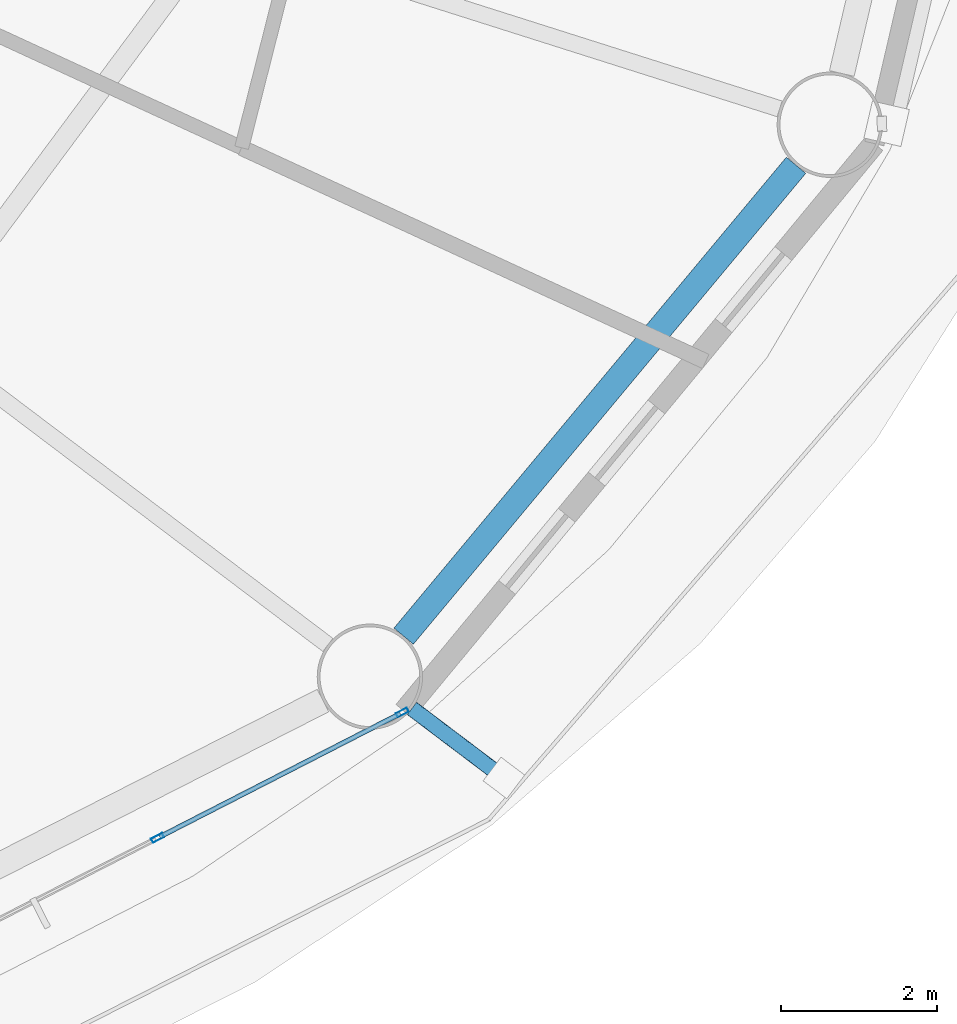
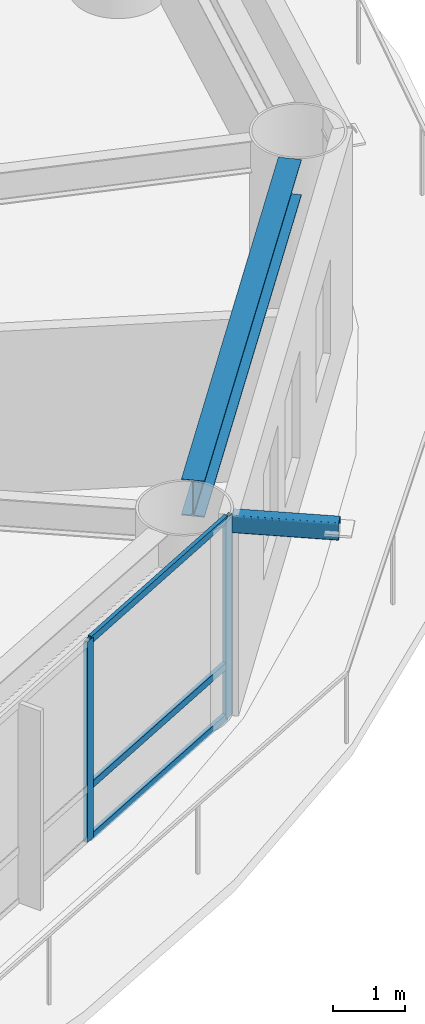
# One storey, part 6 of 24: 6 members, 1 beam, 1 element without a shape of its own.
"""IFC4 building model written with IfcOpenShell, lengths in metres."""

from ifc_helpers import new_model, si_unit, direction, frame, origin, origin_2d, place, context, subcontext, project, spatial, hollow_rectangle, i_section, extrude, material, layer, layer_set, material_profile, profile_set, type_object, element, aggregate, save


model = new_model("IFC4")

# Units and contexts
model_context = context("Model", 3, precision=1e-05, world=origin(), true_north=direction((0.0, 1.0)))
body_context = subcontext(model_context, "Body", "Model", "MODEL_VIEW")
ifc_project = project(units=[si_unit("LENGTHUNIT", "METRE"), si_unit("AREAUNIT", "SQUARE_METRE"), si_unit("VOLUMEUNIT", "CUBIC_METRE"), si_unit("PLANEANGLEUNIT", "RADIAN"), si_unit("MASSUNIT", "GRAM", prefix="KILO")], contexts=[model_context])

# Site, building, storey
site_placement = place(None, origin())
site = spatial("IfcSite", under=ifc_project, at=site_placement, CompositionType="ELEMENT")
building_placement = place(site_placement, origin())
building = spatial("IfcBuilding", under=site, at=building_placement, Name="Sarneth Arch Tower", CompositionType="ELEMENT")
storey_placement = place(building_placement, frame((0.0, 0.0, 123.60009765625)))
storey = spatial("IfcBuildingStorey", under=building, at=storey_placement, Name="L31", CompositionType="ELEMENT", Elevation=123.60009765625)

# Beam
ifc_material_1 = material(Name="Steel S355", Category="steel")
ifc_material_profile_1 = material_profile(ifc_material_1, i_section(OverallWidth=0.323974609375, OverallDepth=0.611083984375, WebThickness=0.0126953125, FlangeThickness=0.01904296875, FilletRadius=0.01904296875, at=origin_2d()), Name="W610x155")
ifc_profile_set_1 = profile_set([ifc_material_profile_1], Name="Steel S355")
beam_type = type_object("IfcBeamType", Name="BM-SPAN-610B", PredefinedType="SPANDREL", material=ifc_profile_set_1)
beam_placement = place(storey_placement, frame((68.829833984375, 27.103515625, 3.074462890625), z_axis=(0.640169116175, 0.768234015581, 0.0), x_axis=(-0.768234015581, 0.640169116175, 0.0)))
element("IfcBeam", 1, at=beam_placement, inside=storey, type_object=beam_type, Name="L31 Perimeter spandrel beam 15", PredefinedType="SPANDREL", context=body_context, shape_type="SweptSolid", body=[
    extrude(i_section(OverallWidth=0.323974609375, OverallDepth=0.611083984375, WebThickness=0.0126953125, FlangeThickness=0.01904296875, FilletRadius=0.01904296875, at=origin_2d()), origin(), (0.0, 0.0, 1.0), 7.856201171875),
])

# Curtain wall, members
ifc_material_2 = material(Name="Anodised aluminium Type AA25 and solar-control low-e laminated IGU", Category="aluminium")
ifc_layer = layer(ifc_material_2, 0.159912109375)
ifc_layer_set = layer_set([ifc_layer], Name="Anodised aluminium Type AA25 and solar-control low-e laminated IGU")
curtain_wall_type = type_object("IfcCurtainWallType", Name="CW-HOTEL-MID", PredefinedType="NOTDEFINED", material=ifc_layer_set)
curtain_wall_placement = place(storey_placement, origin())
curtain_wall = element("IfcCurtainWall", 2, at=curtain_wall_placement, inside=storey, type_object=curtain_wall_type, Name="L31 Unitised curtain wall facet 14", PredefinedType="NOTDEFINED")
ifc_material_3 = material(Name="Anodised Aluminium 6063-T6", Category="aluminium")
ifc_material_profile_2 = material_profile(ifc_material_3, hollow_rectangle(XDim=0.06005859375, YDim=0.159912109375, WallThickness=0.00390625, at=origin_2d()), Name="AL-MULL-160x60x4")
ifc_profile_set_2 = profile_set([ifc_material_profile_2], Name="Anodised Aluminium 6063-T6")
member_type_1 = type_object("IfcMemberType", Name="CW-MULLION", PredefinedType="MULLION", material=ifc_profile_set_2)
member_1_placement = place(storey_placement, frame((65.677001953125, 24.518798828125, 0.0), z_axis=(0.0, 0.0, 1.0), x_axis=(-0.456031365356, 0.889963703649, 0.0)))
member_1 = element("IfcMember", 3, at=member_1_placement, type_object=member_type_1, Name="CW-SYS-4 mullion 3", PredefinedType="MULLION", context=body_context, shape_type="SweptSolid", body=[
    extrude(hollow_rectangle(XDim=0.06005859375, YDim=0.159912109375, WallThickness=0.00390625, at=origin_2d()), origin(), (0.0, 0.0, 1.0), 3.3798828125),
])
member_2_placement = place(storey_placement, frame((68.813232421875, 26.1259765625, 0.0), z_axis=(0.0, 0.0, 1.0), x_axis=(-0.456031365356, 0.889963703649, 0.0)))
member_2 = element("IfcMember", 4, at=member_2_placement, type_object=member_type_1, Name="CW-SYS-4 mullion 4", PredefinedType="MULLION", context=body_context, shape_type="SweptSolid", body=[
    extrude(hollow_rectangle(XDim=0.06005859375, YDim=0.159912109375, WallThickness=0.00390625, at=origin_2d()), origin(), (0.0, 0.0, 1.0), 3.3798828125),
])
ifc_material_4 = material(Name="Anodised Aluminium 6063-T6", Category="aluminium")
ifc_material_profile_3 = material_profile(ifc_material_4, hollow_rectangle(XDim=0.06005859375, YDim=0.1201171875, WallThickness=0.00390625, at=origin_2d()), Name="AL-TRAN-120x60x4")
ifc_profile_set_3 = profile_set([ifc_material_profile_3], Name="Anodised Aluminium 6063-T6")
member_type_2 = type_object("IfcMemberType", Name="CW-TRANSOM", PredefinedType="USERDEFINED", material=ifc_profile_set_3)
member_3_placement = place(storey_placement, frame((65.703857421875, 24.532470703125, 0.02978515625), z_axis=(0.889942905184, 0.456071952122, 0.0), x_axis=(-0.456071952122, 0.889942905184, 0.0)))
member_3 = element("IfcMember", 5, at=member_3_placement, type_object=member_type_2, Name="CW-SYS-4 transom 3.1", ObjectType="TRANSOM", PredefinedType="USERDEFINED", context=body_context, shape_type="SweptSolid", body=[
    extrude(hollow_rectangle(XDim=0.06005859375, YDim=0.1201171875, WallThickness=0.00390625, at=origin_2d()), origin(), (0.0, 0.0, 1.0), 3.464111328125),
])
member_4_placement = place(storey_placement, frame((65.703857421875, 24.532470703125, 0.89990234375), z_axis=(0.889942905184, 0.456071952122, 0.0), x_axis=(-0.456071952122, 0.889942905184, 0.0)))
member_4 = element("IfcMember", 6, at=member_4_placement, type_object=member_type_2, Name="CW-SYS-4 transom 3.2", ObjectType="TRANSOM", PredefinedType="USERDEFINED", context=body_context, shape_type="SweptSolid", body=[
    extrude(hollow_rectangle(XDim=0.06005859375, YDim=0.1201171875, WallThickness=0.00390625, at=origin_2d()), origin(), (0.0, 0.0, 1.0), 3.464111328125),
])
member_5_placement = place(storey_placement, frame((65.703857421875, 24.532470703125, 3.349853515625), z_axis=(0.889942905184, 0.456071952122, 0.0), x_axis=(-0.456071952122, 0.889942905184, 0.0)))
member_5 = element("IfcMember", 7, at=member_5_placement, type_object=member_type_2, Name="CW-SYS-4 transom 3.3", ObjectType="TRANSOM", PredefinedType="USERDEFINED", context=body_context, shape_type="SweptSolid", body=[
    extrude(hollow_rectangle(XDim=0.06005859375, YDim=0.1201171875, WallThickness=0.00390625, at=origin_2d()), origin(), (0.0, 0.0, 1.0), 3.464111328125),
])
aggregate(curtain_wall, [member_1, member_2, member_3, member_4, member_5])

# Member
ifc_material_5 = material(Name="Steel S355", Category="steel")
ifc_material_profile_4 = material_profile(ifc_material_5, hollow_rectangle(XDim=0.199951171875, YDim=0.300048828125, WallThickness=0.012451171875, InnerFilletRadius=0.018798828125, OuterFilletRadius=0.03125, at=origin_2d()), Name="RHS300x200x12.5")
ifc_profile_set_4 = profile_set([ifc_material_profile_4], Name="Steel S355")
member_type_3 = type_object("IfcMemberType", Name="MEM-CANT-STRUT", PredefinedType="STRUT", material=ifc_profile_set_4)
member_6_placement = place(storey_placement, frame((68.936279296875, 26.177978515625, 3.219970703125), z_axis=(0.797853193091, -0.6028517913, 0.0), x_axis=(0.6028517913, 0.797853193091, 0.0)))
element("IfcMember", 8, at=member_6_placement, inside=storey, type_object=member_type_3, Name="L31 Balcony cantilever bracket 15", PredefinedType="STRUT", context=body_context, shape_type="SweptSolid", body=[
    extrude(hollow_rectangle(XDim=0.199951171875, YDim=0.300048828125, WallThickness=0.012451171875, InnerFilletRadius=0.018798828125, OuterFilletRadius=0.03125, at=origin_2d()), origin(), (0.0, 0.0, 1.0), 1.477294921875),
])

save(model, "model.ifc")
